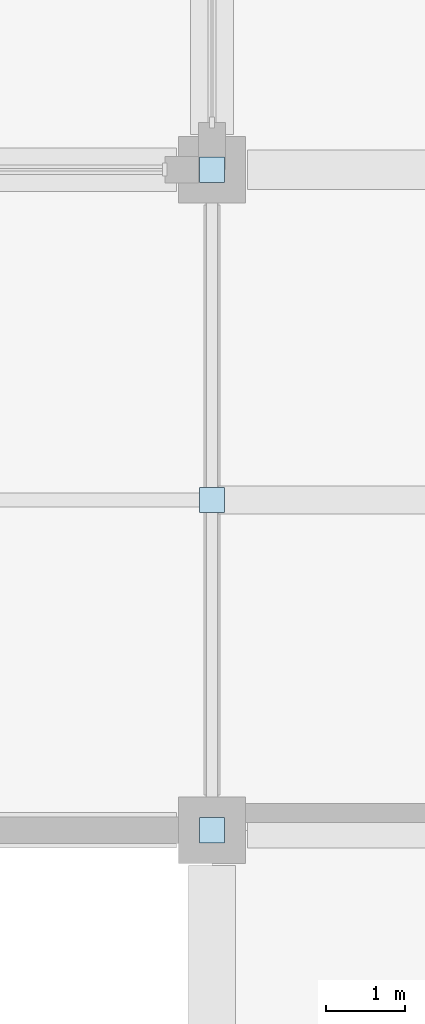
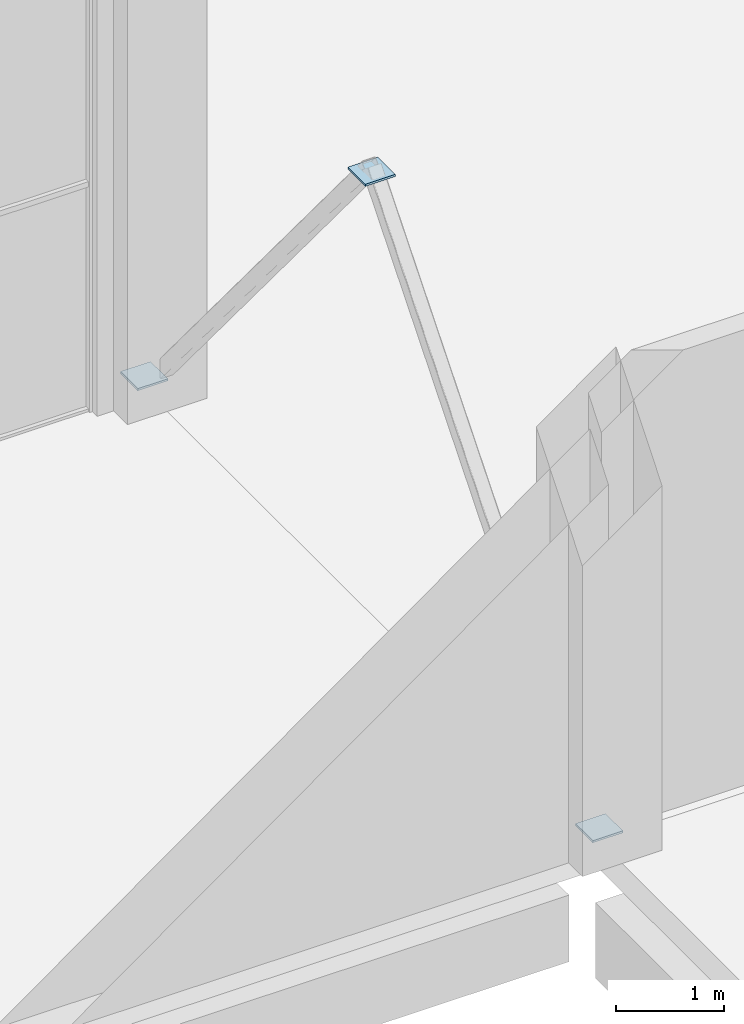
# One storey, part 61 of 82: 3 plates.
"""IFC4 building model written with IfcOpenShell, lengths in metres."""

from ifc_helpers import new_model, si_unit, derived_unit, direction, frame, origin, origin_2d, place, context, subcontext, project, spatial, rectangle, extrude, material, layer, layer_set, type_object, element, save


model = new_model("IFC4")

# Units and contexts
model_context = context("Model", 3, precision=1e-05, world=origin(), true_north=direction((0.0, 1.0)))
body_context = subcontext(model_context, "Body", "Model", "MODEL_VIEW")
ifc_project = project(units=[si_unit("LENGTHUNIT", "METRE"), si_unit("AREAUNIT", "SQUARE_METRE"), si_unit("VOLUMEUNIT", "CUBIC_METRE"), si_unit("PLANEANGLEUNIT", "RADIAN"), si_unit("MASSUNIT", "GRAM", prefix="KILO"), derived_unit("THERMALTRANSMITTANCEUNIT", [(si_unit("POWERUNIT", "WATT"), 1), (si_unit("LENGTHUNIT", "METRE"), -2), (si_unit("THERMODYNAMICTEMPERATUREUNIT", "KELVIN"), -1)])], contexts=[model_context])

# Site, building, storey
site_placement = place(None, origin())
site = spatial("IfcSite", under=ifc_project, at=site_placement, CompositionType="ELEMENT")
building_placement = place(site_placement, origin())
building = spatial("IfcBuilding", under=site, at=building_placement, Name="Barrovel Congress Hotel", CompositionType="ELEMENT")
storey_placement = place(building_placement, origin())
storey = spatial("IfcBuildingStorey", under=building, at=storey_placement, Name="L00", CompositionType="ELEMENT", Elevation=0.0)

# Plates
ifc_material = material(Name="Steel ASTM A992 Grade 50", Category="steel")
ifc_layer = layer(ifc_material, 0.02392578125)
ifc_layer_set = layer_set([ifc_layer], Name="Steel ASTM A992 Grade 50")
plate_type = type_object("IfcPlateType", Name="GP-24", PredefinedType="SHEET", material=ifc_layer_set)
for number, where, z_axis, x_axis, name in (
    (1, (126.0, 37.800048828125, 0.1279296875), (0.0, 0.0, 1.0), (1.0, 0.0, 0.0), "Braced Frame Gusset Plate L00 BF3 BL"),
    (2, (126.0, 46.199951171875, 0.1279296875), (0.0, 0.0, 1.0), (1.0, 0.0, 0.0), "Braced Frame Gusset Plate L00 BF3 BR"),
    (3, (126.0, 42.0, 4.97802734375), (0.0, 0.0, 1.0), (1.0, 0.0, 0.0), "Braced Frame Gusset Plate L00 BF3 AP"),
):
    element("IfcPlate", number, at=place(storey_placement, frame(where, z_axis=z_axis, x_axis=x_axis)), inside=storey, type_object=plate_type, Name=name, PredefinedType="SHEET", context=body_context, shape_type="SweptSolid", body=[
        extrude(rectangle(XDim=0.320068359375, YDim=0.320068359375, at=origin_2d()), origin(), (0.0, 0.0, 1.0), 0.02392578125),
    ])

save(model, "model.ifc")
